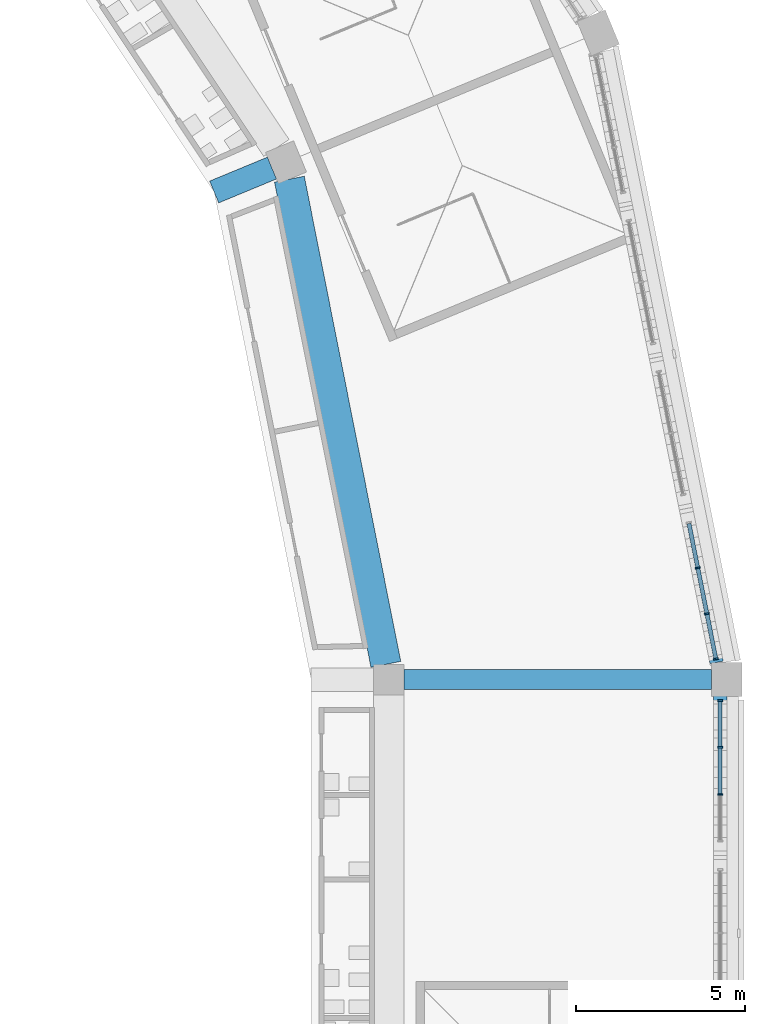
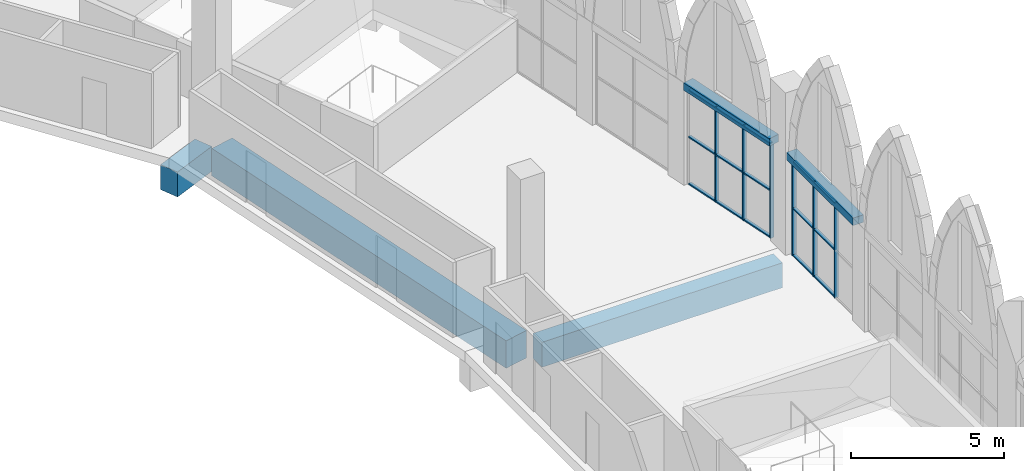
# One storey, part 42 of 130: 21 members, 5 beams, 2 elements without a shape of their own.
"""IFC4 building model written with IfcOpenShell, lengths in metres."""

from ifc_helpers import new_model, si_unit, direction, frame, origin, origin_2d, place, context, subcontext, project, spatial, rectangle, extrude, material, material_profile, profile_set, type_object, element, aggregate, save


model = new_model("IFC4")

# Units and contexts
model_context = context("Model", 3, precision=1e-05, world=origin(), true_north=direction((0.0, 1.0)))
body_context = subcontext(model_context, "Body", "Model", "MODEL_VIEW")
ifc_project = project(units=[si_unit("LENGTHUNIT", "METRE"), si_unit("AREAUNIT", "SQUARE_METRE"), si_unit("VOLUMEUNIT", "CUBIC_METRE"), si_unit("PLANEANGLEUNIT", "RADIAN"), si_unit("MASSUNIT", "GRAM", prefix="KILO")], contexts=[model_context])

# Site, building, storey
site_placement = place(None, origin())
site = spatial("IfcSite", under=ifc_project, at=site_placement, CompositionType="ELEMENT")
building_placement = place(site_placement, origin())
building = spatial("IfcBuilding", under=site, at=building_placement, Name="Ogive Plaza Stadium", CompositionType="ELEMENT")
storey_placement = place(building_placement, frame((0.0, 0.0, 22.5)))
storey = spatial("IfcBuildingStorey", under=building, at=storey_placement, Name="L05", CompositionType="ELEMENT", Elevation=22.5)

# Curtain wall, members
ifc_material_1 = material(Name="Bronze-anodised aluminium with laminated glass", Category="aluminium")
curtain_wall_type = type_object("IfcCurtainWallType", Name="Lancet curtain wall", PredefinedType="NOTDEFINED", material=ifc_material_1)
curtain_wall_1_placement = place(storey_placement, origin())
curtain_wall_1 = element("IfcCurtainWall", 1, at=curtain_wall_1_placement, inside=storey, type_object=curtain_wall_type, Name="CURTAIN WALL B01 L05", PredefinedType="NOTDEFINED")
ifc_material_2 = material(Name="Bronze-anodised aluminium", Category="aluminium")
ifc_material_profile_1 = material_profile(ifc_material_2, rectangle(XDim=0.14990234375, YDim=0.050048828125, at=origin_2d()), Name="AL 150x50")
ifc_profile_set_1 = profile_set([ifc_material_profile_1], Name="Bronze-anodised aluminium")
member_type_1 = type_object("IfcMemberType", Name="Curtain wall mullion 50x150", PredefinedType="MULLION", material=ifc_profile_set_1)
member_1_placement = place(storey_placement, frame((83.800048828125, 51.875, 0.0), z_axis=(0.0, 0.0, 1.0), x_axis=(1.0, 0.0, 0.0)))
member_1 = element("IfcMember", 2, at=member_1_placement, type_object=member_type_1, Name="CW-B01-L05.1 mullion 1", PredefinedType="MULLION", context=body_context, shape_type="SweptSolid", body=[
    extrude(rectangle(XDim=0.14990234375, YDim=0.050048828125, at=origin_2d()), origin(), (0.0, 0.0, 1.0), 3.800048828125),
])
member_2_placement = place(storey_placement, frame((83.800048828125, 50.5, 0.0), z_axis=(0.0, 0.0, 1.0), x_axis=(1.0, 0.0, 0.0)))
member_2 = element("IfcMember", 3, at=member_2_placement, type_object=member_type_1, Name="CW-B01-L05.1 mullion 2", PredefinedType="MULLION", context=body_context, shape_type="SweptSolid", body=[
    extrude(rectangle(XDim=0.14990234375, YDim=0.050048828125, at=origin_2d()), origin(), (0.0, 0.0, 1.0), 3.800048828125),
])
member_3_placement = place(storey_placement, frame((83.800048828125, 49.10009765625, 0.0), z_axis=(0.0, 0.0, 1.0), x_axis=(1.0, 0.0, 0.0)))
member_3 = element("IfcMember", 4, at=member_3_placement, type_object=member_type_1, Name="CW-B01-L05.1 mullion 3", PredefinedType="MULLION", context=body_context, shape_type="SweptSolid", body=[
    extrude(rectangle(XDim=0.14990234375, YDim=0.050048828125, at=origin_2d()), origin(), (0.0, 0.0, 1.0), 3.800048828125),
])

curtain_wall_2_placement = place(storey_placement, origin())
curtain_wall_2 = element("IfcCurtainWall", 5, at=curtain_wall_2_placement, inside=storey, type_object=curtain_wall_type, Name="CURTAIN WALL B40 L05", PredefinedType="NOTDEFINED")
member_4_placement = place(storey_placement, frame((83.13818359375, 55.80712890625, 0.0), z_axis=(0.0, 0.0, 1.0), x_axis=(0.980785280413, 0.195090321965, 0.0)))
member_4 = element("IfcMember", 6, at=member_4_placement, type_object=member_type_1, Name="CW-B40-L05.4 mullion 2", PredefinedType="MULLION", context=body_context, shape_type="SweptSolid", body=[
    extrude(rectangle(XDim=0.14990234375, YDim=0.050048828125, at=origin_2d()), origin(), (0.0, 0.0, 1.0), 3.800048828125),
])
member_5_placement = place(storey_placement, frame((83.40869140625, 54.447998046875, 0.0), z_axis=(0.0, 0.0, 1.0), x_axis=(0.980785280413, 0.195090321965, 0.0)))
member_5 = element("IfcMember", 7, at=member_5_placement, type_object=member_type_1, Name="CW-B40-L05.4 mullion 3", PredefinedType="MULLION", context=body_context, shape_type="SweptSolid", body=[
    extrude(rectangle(XDim=0.14990234375, YDim=0.050048828125, at=origin_2d()), origin(), (0.0, 0.0, 1.0), 3.800048828125),
])
member_6_placement = place(storey_placement, frame((83.674072265625, 53.113525390625, 0.0), z_axis=(0.0, 0.0, 1.0), x_axis=(0.980785280413, 0.195090321965, 0.0)))
member_6 = element("IfcMember", 8, at=member_6_placement, type_object=member_type_1, Name="CW-B40-L05.4 mullion 4", PredefinedType="MULLION", context=body_context, shape_type="SweptSolid", body=[
    extrude(rectangle(XDim=0.14990234375, YDim=0.050048828125, at=origin_2d()), origin(), (0.0, 0.0, 1.0), 3.800048828125),
])

# Member
ifc_material_3 = material(Name="Bronze-anodised aluminium", Category="aluminium")
ifc_material_profile_2 = material_profile(ifc_material_3, rectangle(XDim=0.1201171875, YDim=0.050048828125, at=origin_2d()), Name="AL 120x50")
ifc_profile_set_2 = profile_set([ifc_material_profile_2], Name="Bronze-anodised aluminium")
member_type_2 = type_object("IfcMemberType", Name="Curtain wall transom 50x120", PredefinedType="USERDEFINED", material=ifc_profile_set_2)
member_7_placement = place(storey_placement, frame((83.800048828125, 51.85009765625, 0.02490234375), z_axis=(0.0, -1.0, 0.0), x_axis=(1.0, 0.0, 0.0)))
member_7 = element("IfcMember", 9, at=member_7_placement, type_object=member_type_2, Name="CW-B01-L05.1 transom 1.1", ObjectType="TRANSOM", PredefinedType="USERDEFINED", context=body_context, shape_type="SweptSolid", body=[
    extrude(rectangle(XDim=0.1201171875, YDim=0.050048828125, at=origin_2d()), origin(), (0.0, 0.0, 1.0), 1.3251953125),
])

member_8_placement = place(storey_placement, frame((83.800048828125, 51.85009765625, 1.89990234375), z_axis=(0.0, -1.0, 0.0), x_axis=(1.0, 0.0, 0.0)))
member_8 = element("IfcMember", 10, at=member_8_placement, type_object=member_type_2, Name="CW-B01-L05.1 transom 1.2", ObjectType="TRANSOM", PredefinedType="USERDEFINED", context=body_context, shape_type="SweptSolid", body=[
    extrude(rectangle(XDim=0.1201171875, YDim=0.050048828125, at=origin_2d()), origin(), (0.0, 0.0, 1.0), 1.3251953125),
])

member_9_placement = place(storey_placement, frame((83.800048828125, 51.85009765625, 3.77490234375), z_axis=(0.0, -1.0, 0.0), x_axis=(1.0, 0.0, 0.0)))
member_9 = element("IfcMember", 11, at=member_9_placement, type_object=member_type_2, Name="CW-B01-L05.1 transom 1.3", ObjectType="TRANSOM", PredefinedType="USERDEFINED", context=body_context, shape_type="SweptSolid", body=[
    extrude(rectangle(XDim=0.1201171875, YDim=0.050048828125, at=origin_2d()), origin(), (0.0, 0.0, 1.0), 1.3251953125),
])

member_10_placement = place(storey_placement, frame((83.800048828125, 50.47509765625, 0.02490234375), z_axis=(0.0, -1.0, 0.0), x_axis=(1.0, 0.0, 0.0)))
member_10 = element("IfcMember", 12, at=member_10_placement, type_object=member_type_2, Name="CW-B01-L05.1 transom 2.1", ObjectType="TRANSOM", PredefinedType="USERDEFINED", context=body_context, shape_type="SweptSolid", body=[
    extrude(rectangle(XDim=0.1201171875, YDim=0.050048828125, at=origin_2d()), origin(), (0.0, 0.0, 1.0), 1.35009765625),
])

member_11_placement = place(storey_placement, frame((83.800048828125, 50.47509765625, 1.89990234375), z_axis=(0.0, -1.0, 0.0), x_axis=(1.0, 0.0, 0.0)))
member_11 = element("IfcMember", 13, at=member_11_placement, type_object=member_type_2, Name="CW-B01-L05.1 transom 2.2", ObjectType="TRANSOM", PredefinedType="USERDEFINED", context=body_context, shape_type="SweptSolid", body=[
    extrude(rectangle(XDim=0.1201171875, YDim=0.050048828125, at=origin_2d()), origin(), (0.0, 0.0, 1.0), 1.35009765625),
])

member_12_placement = place(storey_placement, frame((83.800048828125, 50.47509765625, 3.77490234375), z_axis=(0.0, -1.0, 0.0), x_axis=(1.0, 0.0, 0.0)))
member_12 = element("IfcMember", 14, at=member_12_placement, type_object=member_type_2, Name="CW-B01-L05.1 transom 2.3", ObjectType="TRANSOM", PredefinedType="USERDEFINED", context=body_context, shape_type="SweptSolid", body=[
    extrude(rectangle(XDim=0.1201171875, YDim=0.050048828125, at=origin_2d()), origin(), (0.0, 0.0, 1.0), 1.35009765625),
])

aggregate(curtain_wall_1, [member_1, member_2, member_3, member_7, member_8, member_9, member_10, member_11, member_12])

member_13_placement = place(storey_placement, frame((82.877685546875, 57.1171875, 0.02490234375), z_axis=(0.195041291255, -0.980795031954, 0.0), x_axis=(0.980795031954, 0.195041291255, 0.0)))
member_13 = element("IfcMember", 15, at=member_13_placement, type_object=member_type_2, Name="CW-B40-L05.4 transom 1.1", ObjectType="TRANSOM", PredefinedType="USERDEFINED", context=body_context, shape_type="SweptSolid", body=[
    extrude(rectangle(XDim=0.1201171875, YDim=0.050048828125, at=origin_2d()), origin(), (0.0, 0.0, 1.0), 1.310546875),
])

member_14_placement = place(storey_placement, frame((82.877685546875, 57.1171875, 1.89990234375), z_axis=(0.195041291255, -0.980795031954, 0.0), x_axis=(0.980795031954, 0.195041291255, 0.0)))
member_14 = element("IfcMember", 16, at=member_14_placement, type_object=member_type_2, Name="CW-B40-L05.4 transom 1.2", ObjectType="TRANSOM", PredefinedType="USERDEFINED", context=body_context, shape_type="SweptSolid", body=[
    extrude(rectangle(XDim=0.1201171875, YDim=0.050048828125, at=origin_2d()), origin(), (0.0, 0.0, 1.0), 1.310546875),
])

member_15_placement = place(storey_placement, frame((82.877685546875, 57.1171875, 3.77490234375), z_axis=(0.195041291255, -0.980795031954, 0.0), x_axis=(0.980795031954, 0.195041291255, 0.0)))
member_15 = element("IfcMember", 17, at=member_15_placement, type_object=member_type_2, Name="CW-B40-L05.4 transom 1.3", ObjectType="TRANSOM", PredefinedType="USERDEFINED", context=body_context, shape_type="SweptSolid", body=[
    extrude(rectangle(XDim=0.1201171875, YDim=0.050048828125, at=origin_2d()), origin(), (0.0, 0.0, 1.0), 1.310546875),
])

member_16_placement = place(storey_placement, frame((83.14306640625, 55.78271484375, 0.02490234375), z_axis=(0.195202182075, -0.980763023423, 0.0), x_axis=(0.980763023423, 0.195202182075, 0.0)))
member_16 = element("IfcMember", 18, at=member_16_placement, type_object=member_type_2, Name="CW-B40-L05.4 transom 2.1", ObjectType="TRANSOM", PredefinedType="USERDEFINED", context=body_context, shape_type="SweptSolid", body=[
    extrude(rectangle(XDim=0.1201171875, YDim=0.050048828125, at=origin_2d()), origin(), (0.0, 0.0, 1.0), 1.335693359375),
])

member_17_placement = place(storey_placement, frame((83.14306640625, 55.78271484375, 1.89990234375), z_axis=(0.195202182075, -0.980763023423, 0.0), x_axis=(0.980763023423, 0.195202182075, 0.0)))
member_17 = element("IfcMember", 19, at=member_17_placement, type_object=member_type_2, Name="CW-B40-L05.4 transom 2.2", ObjectType="TRANSOM", PredefinedType="USERDEFINED", context=body_context, shape_type="SweptSolid", body=[
    extrude(rectangle(XDim=0.1201171875, YDim=0.050048828125, at=origin_2d()), origin(), (0.0, 0.0, 1.0), 1.335693359375),
])

member_18_placement = place(storey_placement, frame((83.14306640625, 55.78271484375, 3.77490234375), z_axis=(0.195202182075, -0.980763023423, 0.0), x_axis=(0.980763023423, 0.195202182075, 0.0)))
member_18 = element("IfcMember", 20, at=member_18_placement, type_object=member_type_2, Name="CW-B40-L05.4 transom 2.3", ObjectType="TRANSOM", PredefinedType="USERDEFINED", context=body_context, shape_type="SweptSolid", body=[
    extrude(rectangle(XDim=0.1201171875, YDim=0.050048828125, at=origin_2d()), origin(), (0.0, 0.0, 1.0), 1.335693359375),
])

member_19_placement = place(storey_placement, frame((83.41357421875, 54.423583984375, 0.02490234375), z_axis=(0.195005661984, -0.980802116532, 0.0), x_axis=(0.980802116532, 0.195005661984, 0.0)))
member_19 = element("IfcMember", 21, at=member_19_placement, type_object=member_type_2, Name="CW-B40-L05.4 transom 3.1", ObjectType="TRANSOM", PredefinedType="USERDEFINED", context=body_context, shape_type="SweptSolid", body=[
    extrude(rectangle(XDim=0.1201171875, YDim=0.050048828125, at=origin_2d()), origin(), (0.0, 0.0, 1.0), 1.310791015625),
])

member_20_placement = place(storey_placement, frame((83.41357421875, 54.423583984375, 1.89990234375), z_axis=(0.195005661984, -0.980802116532, 0.0), x_axis=(0.980802116532, 0.195005661984, 0.0)))
member_20 = element("IfcMember", 22, at=member_20_placement, type_object=member_type_2, Name="CW-B40-L05.4 transom 3.2", ObjectType="TRANSOM", PredefinedType="USERDEFINED", context=body_context, shape_type="SweptSolid", body=[
    extrude(rectangle(XDim=0.1201171875, YDim=0.050048828125, at=origin_2d()), origin(), (0.0, 0.0, 1.0), 1.310791015625),
])

member_21_placement = place(storey_placement, frame((83.41357421875, 54.423583984375, 3.77490234375), z_axis=(0.195005661984, -0.980802116532, 0.0), x_axis=(0.980802116532, 0.195005661984, 0.0)))
member_21 = element("IfcMember", 23, at=member_21_placement, type_object=member_type_2, Name="CW-B40-L05.4 transom 3.3", ObjectType="TRANSOM", PredefinedType="USERDEFINED", context=body_context, shape_type="SweptSolid", body=[
    extrude(rectangle(XDim=0.1201171875, YDim=0.050048828125, at=origin_2d()), origin(), (0.0, 0.0, 1.0), 1.310791015625),
])

aggregate(curtain_wall_2, [member_4, member_5, member_6, member_13, member_14, member_15, member_16, member_17, member_18, member_19, member_20, member_21])

# Beams
ifc_material_4 = material(Name="Concrete C45/55 precast", Category="concrete")
ifc_material_profile_3 = material_profile(ifc_material_4, rectangle(XDim=0.39990234375, YDim=0.300048828125, at=origin_2d()), Name="RC 400x300")
ifc_profile_set_3 = profile_set([ifc_material_profile_3], Name="Concrete C45/55 precast")
beam_type_1 = type_object("IfcBeamType", Name="Precast tympanum lintel 400x300", PredefinedType="BEAM", material=ifc_profile_set_3)
beam_1_placement = place(storey_placement, frame((83.800048828125, 52.030029296875, 3.949951171875), z_axis=(0.0, -1.0, 0.0), x_axis=(1.0, 0.0, 0.0)))
element("IfcBeam", 24, at=beam_1_placement, inside=storey, type_object=beam_type_1, Name="TYMPANUM LINTEL B01 1", PredefinedType="BEAM", context=body_context, shape_type="SweptSolid", body=[
    extrude(rectangle(XDim=0.39990234375, YDim=0.300048828125, at=origin_2d()), origin(), (0.0, 0.0, 1.0), 4.360107421875),
])
beam_2_placement = place(storey_placement, frame((82.862060546875, 57.195556640625, 3.949951171875), z_axis=(0.195115003175, -0.980780370693, 0.0), x_axis=(0.980780370693, 0.195115003175, 0.0)))
element("IfcBeam", 25, at=beam_2_placement, inside=storey, type_object=beam_type_1, Name="TYMPANUM LINTEL B40 4", PredefinedType="BEAM", context=body_context, shape_type="SweptSolid", body=[
    extrude(rectangle(XDim=0.39990234375, YDim=0.300048828125, at=origin_2d()), origin(), (0.0, 0.0, 1.0), 4.26806640625),
])
ifc_material_5 = material(Name="Concrete C40/50", Category="concrete")
ifc_material_profile_4 = material_profile(ifc_material_5, rectangle(XDim=0.60009765625, YDim=1.0, at=origin_2d()), Name="RC 600x1000")
ifc_profile_set_4 = profile_set([ifc_material_profile_4], Name="Concrete C40/50")
beam_type_2 = type_object("IfcBeamType", Name="RC radial beam 600x1000", PredefinedType="BEAM", material=ifc_profile_set_4)
beam_3_placement = place(storey_placement, frame((74.449951171875, 52.5, -0.909912109375), z_axis=(1.0, 0.0, 0.0), x_axis=(0.0, 1.0, 0.0)))
element("IfcBeam", 26, at=beam_3_placement, inside=storey, type_object=beam_type_2, Name="Radial beam L05 R01 F4F5", PredefinedType="BEAM", context=body_context, shape_type="SweptSolid", body=[
    extrude(rectangle(XDim=0.60009765625, YDim=1.0, at=origin_2d()), origin(), (0.0, 0.0, 1.0), 9.10009765625),
])
ifc_material_6 = material(Name="Concrete C40/50", Category="concrete")
ifc_material_profile_5 = material_profile(ifc_material_6, rectangle(XDim=0.699951171875, YDim=1.0, at=origin_2d()), Name="RC 700x1000")
ifc_profile_set_5 = profile_set([ifc_material_profile_5], Name="Concrete C40/50")
beam_type_3 = type_object("IfcBeamType", Name="RC radial beam 700x1000", PredefinedType="BEAM", material=ifc_profile_set_5)
beam_4_placement = place(storey_placement, frame((68.830322265625, 66.92724609375, -0.909912109375), z_axis=(0.923921946364, 0.382581020213, 0.0), x_axis=(-0.382581020213, 0.923921946364, 0.0)))
element("IfcBeam", 27, at=beam_4_placement, inside=storey, type_object=beam_type_3, Name="Raker tail beam UT R40", PredefinedType="BEAM", context=body_context, shape_type="SweptSolid", body=[
    extrude(rectangle(XDim=0.699951171875, YDim=1.0, at=origin_2d()), origin(), (0.0, 0.0, 1.0), 1.849853515625),
])
ifc_material_7 = material(Name="Concrete C40/50", Category="concrete")
ifc_material_profile_6 = material_profile(ifc_material_7, rectangle(XDim=0.89990234375, YDim=1.10009765625, at=origin_2d()), Name="RC 900x1100")
ifc_profile_set_6 = profile_set([ifc_material_profile_6], Name="Concrete C40/50")
beam_type_4 = type_object("IfcBeamType", Name="RC ring beam 900x1100", PredefinedType="BEAM", material=ifc_profile_set_6)
beam_5_placement = place(storey_placement, frame((71.0546875, 67.307373046875, -0.9599609375), z_axis=(0.195080078519, -0.980787317906, 0.0), x_axis=(0.980787317906, 0.195080078519, 0.0)))
element("IfcBeam", 28, at=beam_5_placement, inside=storey, type_object=beam_type_4, Name="Ring beam F4 L05 B40", PredefinedType="BEAM", context=body_context, shape_type="SweptSolid", body=[
    extrude(rectangle(XDim=0.89990234375, YDim=1.10009765625, at=origin_2d()), origin(), (0.0, 0.0, 1.0), 14.638671875),
])

save(model, "model.ifc")
